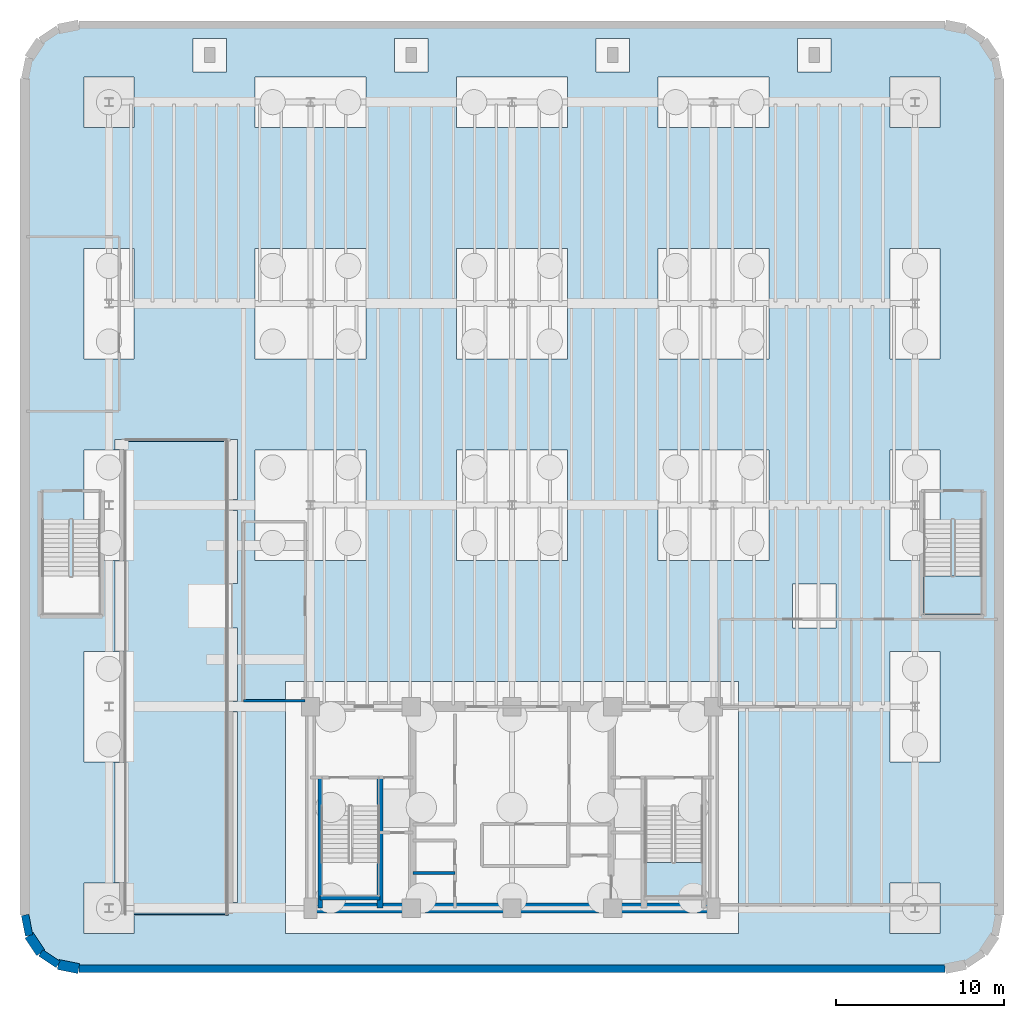
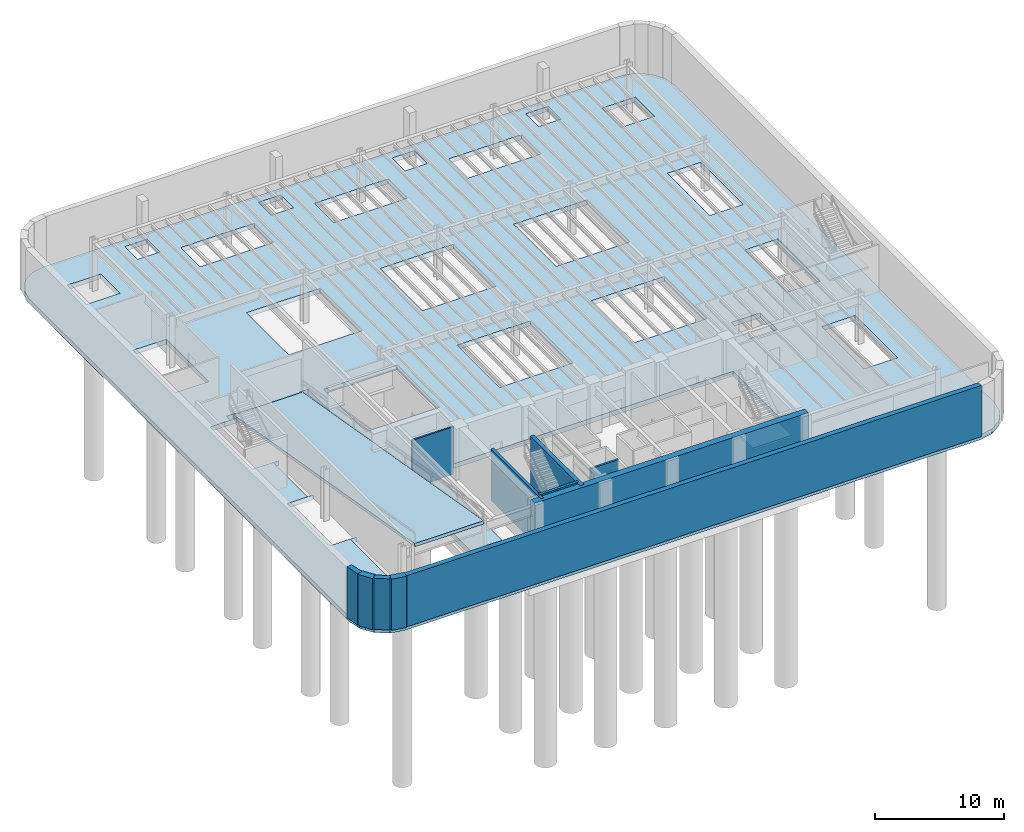
# One storey, part 3 of 9: 11 walls, 4 slabs, 2 elements without a shape of their own.
"""IFC4 building model written with IfcOpenShell, lengths in metres."""

import ifcopenshell
import ifcopenshell.guid

model = None  # the IFC model being written
_history = None  # IfcOwnerHistory: only IFC2X3 demands one
_inside = {}  # id of a spatial element -> (the spatial element, [elements in it])
_under = {}  # id of a project, library or spatial element -> (it, [spatial elements below it])
_declared = {}  # id of a project -> (the project, [libraries it declares])
_typed = {}  # id of a type object -> (the type object, [elements of that type])
_made_of = {}  # id of a material, layer set ... -> (it, [elements and type objects made of it])


def new_model(schema):
    """Start an empty IFC model of exactly this schema.

    Asked for "IFC4X3", IfcOpenShell would pick the latest addendum, in which some entities
    have other attributes; the version numbers below select the first issue.
    IFC2X3 requires an IfcOwnerHistory on every rooted entity: one is made here for all.
    """
    global model, _history
    if schema == "IFC4X3":
        model = ifcopenshell.file(schema_version=(4, 3, 0, 0))
    else:
        model = ifcopenshell.file(schema=schema)
    _inside.clear()
    _under.clear()
    _declared.clear()
    _typed.clear()
    _made_of.clear()
    _history = None
    if model.schema == "IFC2X3":
        org = make("IfcOrganization", Name="unknown")
        user = make(
            "IfcPersonAndOrganization",
            ThePerson=make("IfcPerson", FamilyName="unknown"),
            TheOrganization=org,
        )
        app = make(
            "IfcApplication",
            ApplicationDeveloper=org,
            Version="unknown",
            ApplicationFullName="unknown",
            ApplicationIdentifier="unknown",
        )
        _history = make(
            "IfcOwnerHistory",
            OwningUser=user,
            OwningApplication=app,
            ChangeAction="ADDED",
            CreationDate=0,
        )
    return model


def make(cls, **values):
    """One entity of the class cls with the attributes given. An attribute that is None is left unset."""
    return model.create_entity(
        cls, **{name: value for name, value in values.items() if value is not None}
    )


def rooted(cls, **values):
    """An entity with a GlobalId (a new one), such as an element, a storey or a relation."""
    return make(cls, GlobalId=ifcopenshell.guid.new(), OwnerHistory=_history, **values)


def si_unit(unit_type, name, prefix=None):
    """IfcSIUnit, for example si_unit("LENGTHUNIT", "METRE", prefix="MILLI")."""
    return make("IfcSIUnit", UnitType=unit_type, Prefix=prefix, Name=name)


def assignment(units):
    """IfcUnitAssignment: the units of a project."""
    return None if units is None else make("IfcUnitAssignment", Units=units)


def point(xyz):
    """IfcCartesianPoint."""
    return None if xyz is None else make("IfcCartesianPoint", Coordinates=xyz)


def direction(xyz):
    """IfcDirection."""
    return None if xyz is None else make("IfcDirection", DirectionRatios=xyz)


def frame(location, z_axis=None, x_axis=None):
    """IfcAxis2Placement3D, a coordinate frame: its origin and axes. An axis left out is left unset."""
    return make(
        "IfcAxis2Placement3D",
        Location=point(location),
        Axis=direction(z_axis),
        RefDirection=direction(x_axis),
    )


def frame_2d(location, x_axis=None):
    """IfcAxis2Placement2D, a coordinate frame in the plane: its origin and x axis."""
    return make(
        "IfcAxis2Placement2D", Location=point(location), RefDirection=direction(x_axis)
    )


def origin():
    """The frame at (0, 0, 0) with its axes left unset."""
    return frame((0.0, 0.0, 0.0))


def place(relative_to, where):
    """IfcLocalPlacement: puts the frame where relative to a parent placement (None: the world)."""
    return make(
        "IfcLocalPlacement", PlacementRelTo=relative_to, RelativePlacement=where
    )


def context(
    kind, dimensions, precision=None, world=None, true_north=None, identifier=None
):
    """IfcGeometricRepresentationContext, for example the 3D "Model" context."""
    return make(
        "IfcGeometricRepresentationContext",
        ContextIdentifier=identifier,
        ContextType=kind,
        CoordinateSpaceDimension=dimensions,
        Precision=precision,
        WorldCoordinateSystem=world,
        TrueNorth=true_north,
    )


def subcontext(parent, identifier, kind, view, scale=None):
    """IfcGeometricRepresentationSubContext, for example "Body" below "Model"."""
    return make(
        "IfcGeometricRepresentationSubContext",
        ContextIdentifier=identifier,
        ContextType=kind,
        ParentContext=parent,
        TargetScale=scale,
        TargetView=view,
    )


def project(units=None, contexts=None):
    """IfcProject with its units and contexts."""
    return rooted(
        "IfcProject",
        Name="project",
        RepresentationContexts=contexts,
        UnitsInContext=assignment(units),
    )


def spatial(cls, under=None, at=None, **own):
    """A site, building, storey or space (cls), placed at a placement, below another one or the project."""
    s = rooted(cls, ObjectPlacement=at, **own)
    if under is not None:
        _under.setdefault(under.id(), (under, []))[1].append(s)
    return s


def polyline(points):
    """IfcPolyline through the points."""
    return make("IfcPolyline", Points=[point(p) for p in points])


def profile(cls, at=None, kind="AREA", **sizes):
    """A parametric profile (cls). Its sizes go by their IFC names, for example OverallWidth=200.0."""
    return make(cls, ProfileType=kind, Position=at, **sizes)


def rectangle(**sizes):
    """IfcRectangleProfileDef."""
    return profile("IfcRectangleProfileDef", **sizes)


def outline(outer, holes=None, kind="AREA"):
    """IfcArbitraryClosedProfileDef: a profile drawn as a closed curve; with holes, ...WithVoids."""
    if holes is None:
        return make("IfcArbitraryClosedProfileDef", ProfileType=kind, OuterCurve=outer)
    return make(
        "IfcArbitraryProfileDefWithVoids",
        ProfileType=kind,
        OuterCurve=outer,
        InnerCurves=holes,
    )


def extrude(swept, where, along, depth):
    """IfcExtrudedAreaSolid: the profile swept, set in the frame where, extruded along a direction by depth."""
    return make(
        "IfcExtrudedAreaSolid",
        SweptArea=swept,
        Position=where,
        ExtrudedDirection=direction(along),
        Depth=depth,
    )


def shape(context_of_items, identifier, shape_type, items):
    """IfcShapeRepresentation: the items that make up one representation, for example the "Body"."""
    return make(
        "IfcShapeRepresentation",
        ContextOfItems=context_of_items,
        RepresentationIdentifier=identifier,
        RepresentationType=shape_type,
        Items=items,
    )


def material(Name=None, Category=None):
    """IfcMaterial."""
    return make("IfcMaterial", Name=Name, Category=Category)


def layer(
    of_material, thickness, ventilated=None, Name=None, Category=None, Priority=None
):
    """IfcMaterialLayer: one layer of a wall or slab, of a material (None: an air gap)."""
    return make(
        "IfcMaterialLayer",
        Material=of_material,
        LayerThickness=thickness,
        IsVentilated=ventilated,
        Name=Name,
        Category=Category,
        Priority=Priority,
    )


def layer_set(layers, Name=None):
    """IfcMaterialLayerSet."""
    return make("IfcMaterialLayerSet", MaterialLayers=layers, LayerSetName=Name)


def made_of(thing, what):
    """Note that an element or type object is made of a material, layer set ...; save() writes the relation."""
    if what is not None:
        _made_of.setdefault(what.id(), (what, []))[1].append(thing)
    return thing


def type_object(cls, material=None, **own):
    """A type object (cls), such as IfcWallType, which elements share."""
    return made_of(rooted(cls, **own), material)


def element(
    cls,
    number,
    at=None,
    inside=None,
    cuts=None,
    type_object=None,
    material=None,
    context=None,
    identifier="Body",
    shape_type=None,
    held_by="IfcProductDefinitionShape",
    body=None,
    shapes=None,
    **own,
):
    """One element of the class cls, such as IfcWall. Its Tag is "e" and its number.

    at: its placement. inside: the storey or other place that contains it. cuts: it is an
    opening in that element (IfcRelVoidsElement). A single representation is given by context,
    identifier, shape_type and body (its items); several are given by shapes. held_by: the class
    of the entity that holds the representations. save() writes the other relations.
    """
    e = rooted(cls, Tag="e%d" % number, ObjectPlacement=at, **own)
    if body is not None:
        shapes = [shape(context, identifier, shape_type, body)]
    if shapes is not None:
        e.Representation = make(held_by, Representations=shapes)
    if inside is not None:
        _inside.setdefault(inside.id(), (inside, []))[1].append(e)
    if cuts is not None:
        rooted(
            "IfcRelVoidsElement", RelatingBuildingElement=cuts, RelatedOpeningElement=e
        )
    if type_object is not None:
        _typed.setdefault(type_object.id(), (type_object, []))[1].append(e)
    return made_of(e, material)


def aggregate(whole, parts):
    """IfcRelAggregates: a whole, such as a stair, and the parts it consists of."""
    return rooted("IfcRelAggregates", RelatingObject=whole, RelatedObjects=parts)


def save(model, path):
    """Write the relations noted so far, then the file.

    IfcRelAggregates (storeys below a building ...), IfcRelContainedInSpatialStructure (elements
    in a storey), IfcRelDefinesByType, IfcRelAssociatesMaterial and IfcRelDeclares: one each for
    every whole, place, type object, material and project.
    """
    for whole, parts in _under.values():
        aggregate(whole, parts)
    for where, things in _inside.values():
        rooted(
            "IfcRelContainedInSpatialStructure",
            RelatedElements=things,
            RelatingStructure=where,
        )
    for kind, things in _typed.values():
        rooted("IfcRelDefinesByType", RelatedObjects=things, RelatingType=kind)
    for what, things in _made_of.values():
        rooted("IfcRelAssociatesMaterial", RelatedObjects=things, RelatingMaterial=what)
    for by, libraries in _declared.values():
        rooted("IfcRelDeclares", RelatingContext=by, RelatedDefinitions=libraries)
    model.write(path)


model = new_model("IFC4")

# Units and contexts
model_context = context("Model", 3, precision=1e-05, world=origin(), true_north=direction((0.0, 1.0)))
body_context = subcontext(model_context, "Body", "Model", "MODEL_VIEW")
ifc_project = project(units=[si_unit("LENGTHUNIT", "METRE"), si_unit("AREAUNIT", "SQUARE_METRE"), si_unit("VOLUMEUNIT", "CUBIC_METRE"), si_unit("PLANEANGLEUNIT", "RADIAN"), si_unit("MASSUNIT", "GRAM", prefix="KILO")], contexts=[model_context])

# Site, building, storey
site_placement = place(None, origin())
site = spatial("IfcSite", under=ifc_project, at=site_placement, CompositionType="ELEMENT")
building_placement = place(site_placement, origin())
building = spatial("IfcBuilding", under=site, at=building_placement, Name="Brelvock Crest Care Tower", CompositionType="ELEMENT")
storey_placement = place(building_placement, frame((0.0, 0.0, -4.860107421875)))
storey = spatial("IfcBuildingStorey", under=building, at=storey_placement, Name="B1", CompositionType="ELEMENT", Elevation=-4.860107421875)

# Slabs
ifc_material_1 = material(Name="Concrete N40 (40 MPa)", Category="concrete")
ifc_layer_1 = layer(ifc_material_1, 0.449951171875, Name="SLB-BS1")
ifc_layer_set_1 = layer_set([ifc_layer_1], Name="Concrete N40 (40 MPa)")
slab_type_1 = type_object("IfcSlabType", Name="SLB-BS1", PredefinedType="BASESLAB", material=ifc_layer_set_1)
slab_1_placement = place(storey_placement, frame((0.0, 0.0, -0.449951171875)))
element("IfcSlab", 1, at=slab_1_placement, inside=storey, type_object=slab_type_1, Name="B1 Basement Base Slab 1", PredefinedType="BASESLAB", context=body_context, shape_type="SweptSolid", body=[
    extrude(outline(polyline([(10.199951171875, 2.39990234375), (61.800048828125, 2.39990234375), (63.024658203125, 2.6435546875), (64.062744140625, 3.33740234375), (64.75634765625, 4.37548828125), (65.0, 5.60009765625), (65.0, 55.39990234375), (64.75634765625, 56.62451171875), (64.062744140625, 57.66259765625), (63.024658203125, 58.3564453125), (61.800048828125, 58.60009765625), (10.199951171875, 58.60009765625), (8.975341796875, 58.3564453125), (7.937255859375, 57.66259765625), (7.24365234375, 56.62451171875), (7.0, 55.39990234375), (7.0, 5.60009765625), (7.24365234375, 4.37548828125), (7.937255859375, 3.33740234375), (8.975341796875, 2.6435546875), (10.199951171875, 2.39990234375)]), holes=[polyline([(19.1201171875, 6.324951171875), (19.64990234375, 6.324951171875), (19.64990234375, 17.675048828125), (19.1201171875, 17.675048828125), (19.1201171875, 18.324951171875), (19.64990234375, 18.324951171875), (19.64990234375, 22.675048828125), (19.1201171875, 22.675048828125), (19.1201171875, 22.699951171875), (19.300048828125, 22.699951171875), (19.300048828125, 25.300048828125), (19.1201171875, 25.300048828125), (19.1201171875, 25.324951171875), (19.64990234375, 25.324951171875), (19.64990234375, 29.675048828125), (19.1201171875, 29.675048828125), (19.1201171875, 30.324951171875), (19.64990234375, 30.324951171875), (19.64990234375, 33.925048828125), (18.85009765625, 33.925048828125), (18.85009765625, 33.800048828125), (13.14990234375, 33.800048828125), (13.14990234375, 33.925048828125), (12.35009765625, 33.925048828125), (12.35009765625, 33.324951171875), (12.8798828125, 33.324951171875), (12.8798828125, 33.300048828125), (10.5, 33.300048828125), (10.5, 26.699951171875), (12.8798828125, 26.699951171875), (12.8798828125, 26.675048828125), (12.35009765625, 26.675048828125), (12.35009765625, 21.324951171875), (12.8798828125, 21.324951171875), (12.8798828125, 21.300048828125), (10.5, 21.300048828125), (10.5, 14.699951171875), (12.8798828125, 14.699951171875), (12.8798828125, 14.675048828125), (12.35009765625, 14.675048828125), (12.35009765625, 7.52490234375), (12.8798828125, 7.52490234375), (12.8798828125, 7.5), (10.5, 7.5), (10.5, 4.5), (13.5, 4.5), (13.5, 5.550048828125), (19.1201171875, 5.550048828125), (19.1201171875, 6.324951171875)]), polyline([(20.699951171875, 26.699951171875), (27.300048828125, 26.699951171875), (27.300048828125, 33.300048828125), (20.699951171875, 33.300048828125), (20.699951171875, 26.699951171875)]), polyline([(10.5, 38.699951171875), (13.5, 38.699951171875), (13.5, 45.300048828125), (10.5, 45.300048828125), (10.5, 38.699951171875)]), polyline([(20.699951171875, 38.699951171875), (27.300048828125, 38.699951171875), (27.300048828125, 45.300048828125), (20.699951171875, 45.300048828125), (20.699951171875, 38.699951171875)]), polyline([(20.699951171875, 52.5), (27.300048828125, 52.5), (27.300048828125, 55.5), (20.699951171875, 55.5), (20.699951171875, 52.5)]), polyline([(10.5, 52.5), (13.5, 52.5), (13.5, 55.5), (10.5, 55.5), (10.5, 52.5)]), polyline([(17.0, 55.800048828125), (19.0, 55.800048828125), (19.0, 57.800048828125), (17.0, 57.800048828125), (17.0, 55.800048828125)]), polyline([(58.5, 4.5), (61.5, 4.5), (61.5, 7.5), (58.5, 7.5), (58.5, 4.5)]), polyline([(22.5, 4.5), (49.5, 4.5), (49.5, 19.5), (22.5, 19.5), (22.5, 4.5)]), polyline([(58.5, 14.699951171875), (61.5, 14.699951171875), (61.5, 21.300048828125), (58.5, 21.300048828125), (58.5, 14.699951171875)]), polyline([(52.699951171875, 22.699951171875), (55.300048828125, 22.699951171875), (55.300048828125, 25.300048828125), (52.699951171875, 25.300048828125), (52.699951171875, 22.699951171875)]), polyline([(32.699951171875, 26.699951171875), (39.300048828125, 26.699951171875), (39.300048828125, 33.300048828125), (32.699951171875, 33.300048828125), (32.699951171875, 26.699951171875)]), polyline([(44.699951171875, 26.699951171875), (51.300048828125, 26.699951171875), (51.300048828125, 33.300048828125), (44.699951171875, 33.300048828125), (44.699951171875, 26.699951171875)]), polyline([(58.5, 26.699951171875), (61.5, 26.699951171875), (61.5, 33.300048828125), (58.5, 33.300048828125), (58.5, 26.699951171875)]), polyline([(32.699951171875, 38.699951171875), (39.300048828125, 38.699951171875), (39.300048828125, 45.300048828125), (32.699951171875, 45.300048828125), (32.699951171875, 38.699951171875)]), polyline([(44.699951171875, 38.699951171875), (51.300048828125, 38.699951171875), (51.300048828125, 45.300048828125), (44.699951171875, 45.300048828125), (44.699951171875, 38.699951171875)]), polyline([(58.5, 38.699951171875), (61.5, 38.699951171875), (61.5, 45.300048828125), (58.5, 45.300048828125), (58.5, 38.699951171875)]), polyline([(32.699951171875, 52.5), (39.300048828125, 52.5), (39.300048828125, 55.5), (32.699951171875, 55.5), (32.699951171875, 52.5)]), polyline([(44.699951171875, 52.5), (51.300048828125, 52.5), (51.300048828125, 55.5), (44.699951171875, 55.5), (44.699951171875, 52.5)]), polyline([(58.5, 52.5), (61.5, 52.5), (61.5, 55.5), (58.5, 55.5), (58.5, 52.5)]), polyline([(29.0, 55.800048828125), (31.0, 55.800048828125), (31.0, 57.800048828125), (29.0, 57.800048828125), (29.0, 55.800048828125)]), polyline([(41.0, 57.800048828125), (41.0, 55.800048828125), (43.0, 55.800048828125), (43.0, 57.800048828125), (41.0, 57.800048828125)]), polyline([(53.0, 57.800048828125), (53.0, 55.800048828125), (55.0, 55.800048828125), (55.0, 57.800048828125), (53.0, 57.800048828125)])]), origin(), (0.0, 0.0, 1.0), 0.449951171875),
])
ifc_layer_2 = layer(ifc_material_1, 0.280029296875, Name="SLB-RMP1")
ifc_layer_set_2 = layer_set([ifc_layer_2], Name="Concrete N40 (40 MPa)")
slab_type_2 = type_object("IfcSlabType", Name="SLB-RMP1", PredefinedType="FLOOR", material=ifc_layer_set_2)
slab_2_placement = place(storey_placement, frame((12.89990234375, 33.800048828125, 0.0), z_axis=(0.0, 0.170073707921, 0.985431344069), x_axis=(1.0, 0.0, 0.0)))
element("IfcSlab", 2, at=slab_2_placement, inside=storey, type_object=slab_type_2, Name="B1 to L00 Two-Way Vehicle Ramp Structural Slab R1", PredefinedType="FLOOR", context=body_context, shape_type="SweptSolid", body=[
    extrude(outline(polyline([(0.0, 0.0), (6.2001953125, 0.0), (6.2001953125, -28.57647711276844), (0.0, -28.57647711276844), (0.0, 0.0)])), origin(), (0.0, 0.0, -1.0), 0.280029296875),
])

# Stair, slab
stair_type_1 = type_object("IfcStairType", Name="ST-CORE1", PredefinedType="HALF_TURN_STAIR", material=ifc_material_1)
stair_1_placement = place(storey_placement, origin())
stair_1 = element("IfcStair", 3, at=stair_1_placement, inside=storey, type_object=stair_type_1, Name="B1 Fire-Isolated Core Stair ST-2", PredefinedType="HALF_TURN_STAIR")
ifc_layer_3 = layer(ifc_material_1, 0.199951171875, Name="STL-1")
ifc_layer_set_3 = layer_set([ifc_layer_3], Name="Concrete N40 (40 MPa)")
slab_type_3 = type_object("IfcSlabType", Name="STL-1", PredefinedType="LANDING", material=ifc_layer_set_3)
slab_3_placement = place(storey_placement, frame((0.0, 0.0, 2.230224609375)))
slab_3 = element("IfcSlab", 4, at=slab_3_placement, type_object=slab_type_3, Name="ST-2 landing 1", PredefinedType="LANDING", context=body_context, shape_type="SweptSolid", body=[
    extrude(outline(polyline([(43.889892578125, 8.719970703125), (43.889892578125, 6.699951171875), (47.3701171875, 6.699951171875), (47.3701171875, 8.719970703125), (43.889892578125, 8.719970703125)])), origin(), (0.0, 0.0, 1.0), 0.199951171875),
])
aggregate(stair_1, [slab_3])

stair_type_2 = type_object("IfcStairType", Name="ST-POD1", PredefinedType="HALF_TURN_STAIR", material=ifc_material_1)
stair_2_placement = place(storey_placement, origin())
stair_2 = element("IfcStair", 5, at=stair_2_placement, inside=storey, type_object=stair_type_2, Name="B1 Podium East Fire Stair ST-4", PredefinedType="HALF_TURN_STAIR")
slab_4_placement = place(storey_placement, frame((0.0, 0.0, 2.230224609375)))
slab_4 = element("IfcSlab", 6, at=slab_4_placement, type_object=slab_type_3, Name="ST-4 landing 1", PredefinedType="LANDING", context=body_context, shape_type="SweptSolid", body=[
    extrude(outline(polyline([(60.510009765625, 25.7900390625), (60.510009765625, 23.5), (63.989990234375, 23.5), (63.989990234375, 25.7900390625), (60.510009765625, 25.7900390625)])), origin(), (0.0, 0.0, 1.0), 0.199951171875),
])
aggregate(stair_2, [slab_4])

# Walls
ifc_material_2 = material(Name="Concrete S80 (80 MPa)", Category="concrete")
ifc_layer_4 = layer(ifc_material_2, 0.60009765625, Name="WL-CS1")
ifc_layer_set_4 = layer_set([ifc_layer_4], Name="Concrete S80 (80 MPa)")
wall_type_1 = type_object("IfcWallType", Name="WL-CS1", PredefinedType="SHEAR", material=ifc_layer_set_4)
wall_1_placement = place(storey_placement, frame((48.300048828125, 6.0, 0.0), z_axis=(0.0, 0.0, 1.0), x_axis=(-1.0, 0.0, 0.0)))
element("IfcWall", 7, at=wall_1_placement, inside=storey, type_object=wall_type_1, Name="B1 Core South Shear Wall", PredefinedType="SHEAR", context=body_context, shape_type="SweptSolid", body=[
    extrude(rectangle(XDim=24.60009765625, YDim=0.60009765625, at=frame_2d((12.300048828125, 0.0))), origin(), (0.0, 0.0, 1.0), 4.860107421875),
])
ifc_layer_5 = layer(ifc_material_2, 0.35009765625, Name="WL-CS5")
ifc_layer_set_5 = layer_set([ifc_layer_5], Name="Concrete S80 (80 MPa)")
wall_type_2 = type_object("IfcWallType", Name="WL-CS5", PredefinedType="SHEAR", material=ifc_layer_set_5)
wall_2_placement = place(storey_placement, frame((28.14990234375, 6.0, 0.0), z_axis=(0.0, 0.0, 1.0), x_axis=(0.0, 1.0, 0.0)))
element("IfcWall", 8, at=wall_2_placement, inside=storey, type_object=wall_type_2, Name="B1 Core Stair ST-1 East Shear Wall", PredefinedType="SHEAR", context=body_context, shape_type="SweptSolid", body=[
    extrude(rectangle(XDim=7.780029296875, YDim=0.35009765625, at=frame_2d((3.89013671875, 0.0))), origin(), (0.0, 0.0, 1.0), 4.860107421875),
])
ifc_layer_6 = layer(ifc_material_2, 0.25, Name="WL-CS6")
ifc_layer_set_6 = layer_set([ifc_layer_6], Name="Concrete S80 (80 MPa)")
wall_type_3 = type_object("IfcWallType", Name="WL-CS6", PredefinedType="SHEAR", material=ifc_layer_set_6)
wall_3_placement = place(storey_placement, frame((24.580078125, 6.0, 0.0), z_axis=(0.0, 0.0, 1.0), x_axis=(0.0, 1.0, 0.0)))
element("IfcWall", 9, at=wall_3_placement, inside=storey, type_object=wall_type_3, Name="B1 Core Stair ST-1 West Shear Wall", PredefinedType="SHEAR", context=body_context, shape_type="SweptSolid", body=[
    extrude(rectangle(XDim=7.780029296875, YDim=0.25, at=frame_2d((3.89013671875, 0.0))), origin(), (0.0, 0.0, 1.0), 4.860107421875),
])
wall_4_placement = place(storey_placement, frame((24.580078125, 6.6201171875, 0.0), z_axis=(0.0, 0.0, 1.0), x_axis=(1.0, 0.0, 0.0)))
element("IfcWall", 10, at=wall_4_placement, inside=storey, type_object=wall_type_3, Name="B1 Core Stair ST-1 South Shear Wall", PredefinedType="SHEAR", context=body_context, shape_type="SweptSolid", body=[
    extrude(rectangle(XDim=3.56982421875, YDim=0.25, at=frame_2d((1.784912109375, 0.0))), origin(), (0.0, 0.0, 1.0), 4.860107421875),
])
ifc_material_3 = material(Name="Masonry Blockwork Acoustic Partition", Category="masonry")
ifc_layer_7 = layer(ifc_material_3, 0.14990234375, Name="WL-INT1")
ifc_layer_set_7 = layer_set([ifc_layer_7], Name="Masonry Blockwork Acoustic Partition")
wall_type_4 = type_object("IfcWallType", Name="WL-INT1", PredefinedType="PARTITIONING", material=ifc_layer_set_7)
wall_5_placement = place(storey_placement, frame((20.0, 18.35009765625, 0.0), z_axis=(0.0, 0.0, 1.0), x_axis=(1.0, 0.0, 0.0)))
element("IfcWall", 11, at=wall_5_placement, inside=storey, type_object=wall_type_4, Name="B1 Interior Wall WL-BX-B1-B1-CYC-S", PredefinedType="PARTITIONING", context=body_context, shape_type="SweptSolid", body=[
    extrude(rectangle(XDim=3.679931640625, YDim=0.14990234375, at=frame_2d((1.83984375, 0.0))), origin(), (0.0, 0.0, 1.0), 4.510009765625),
])
ifc_material_4 = material(Name="Concrete N50 (50 MPa)", Category="concrete")
ifc_layer_8 = layer(ifc_material_4, 0.60009765625, Name="WL-RT1")
ifc_layer_set_8 = layer_set([ifc_layer_8], Name="Concrete N50 (50 MPa)")
wall_type_5 = type_object("IfcWallType", Name="WL-RT1", PredefinedType="USERDEFINED", material=ifc_layer_set_8)
for number, where, z_axis, x_axis, name in (
    (12, (10.199951171875, 2.39990234375, 0.0), (0.0, 0.0, 1.0), (-0.980775717779, 0.195138390419, 0.0), "B1 Basement Retaining Wall 00"),
    (13, (7.937255859375, 3.33740234375, 0.0), (0.0, 0.0, 1.0), (-0.555557312883, 0.831478245117, 0.0), "B1 Basement Retaining Wall 02"),
):
    element("IfcWall", number, at=place(storey_placement, frame(where, z_axis=z_axis, x_axis=x_axis)), inside=storey, type_object=wall_type_5, Name=name, ObjectType="RETAININGWALL", PredefinedType="USERDEFINED", context=body_context, shape_type="SweptSolid", body=[
        extrude(rectangle(XDim=1.24853515625, YDim=0.60009765625, at=frame_2d((0.624267578125, 0.0))), origin(), (0.0, 0.0, 1.0), 4.860107421875),
    ])
ifc_layer_9 = layer(ifc_material_4, 0.449951171875, Name="WL-RT2")
ifc_layer_set_9 = layer_set([ifc_layer_9], Name="Concrete N50 (50 MPa)")
wall_type_6 = type_object("IfcWallType", Name="WL-RT2", PredefinedType="USERDEFINED", material=ifc_layer_set_9)
for number, where, z_axis, x_axis, name in (
    (14, (8.975341796875, 2.6435546875, 0.0), (0.0, 0.0, 1.0), (-0.831387912822, 0.555692485475, 0.0), "B1 Basement Retaining Wall 01"),
    (15, (7.24365234375, 4.37548828125, 0.0), (0.0, 0.0, 1.0), (-0.195138390419, 0.980775717779, 0.0), "B1 Basement Retaining Wall 03"),
):
    element("IfcWall", number, at=place(storey_placement, frame(where, z_axis=z_axis, x_axis=x_axis)), inside=storey, type_object=wall_type_6, Name=name, ObjectType="RETAININGWALL", PredefinedType="USERDEFINED", context=body_context, shape_type="SweptSolid", body=[
        extrude(rectangle(XDim=1.24853515625, YDim=0.449951171875, at=frame_2d((0.624267578125, 0.0))), origin(), (0.0, 0.0, 1.0), 4.860107421875),
    ])
wall_6_placement = place(storey_placement, frame((61.800048828125, 2.39990234375, 0.0), z_axis=(0.0, 0.0, 1.0), x_axis=(-1.0, 0.0, 0.0)))
element("IfcWall", 16, at=wall_6_placement, inside=storey, type_object=wall_type_6, Name="B1 Basement Retaining Wall 19", ObjectType="RETAININGWALL", PredefinedType="USERDEFINED", context=body_context, shape_type="SweptSolid", body=[
    extrude(rectangle(XDim=51.60009765625, YDim=0.449951171875, at=frame_2d((25.800048828125, 0.0))), origin(), (0.0, 0.0, 1.0), 4.860107421875),
])
ifc_layer_10 = layer(ifc_material_3, 0.179931640625, Name="WL-SHF1")
ifc_layer_set_10 = layer_set([ifc_layer_10], Name="Masonry Blockwork Acoustic Partition")
wall_type_7 = type_object("IfcWallType", Name="WL-SHF1", PredefinedType="PARTITIONING", material=ifc_layer_set_10)
wall_7_placement = place(storey_placement, frame((30.10009765625, 8.10009765625, 0.0), z_axis=(0.0, 0.0, 1.0), x_axis=(1.0, 0.0, 0.0)))
element("IfcWall", 17, at=wall_7_placement, inside=storey, type_object=wall_type_7, Name="B1 Interior Wall WL-CSBW-SP-B1", PredefinedType="PARTITIONING", context=body_context, shape_type="SweptSolid", body=[
    extrude(rectangle(XDim=2.5, YDim=0.179931640625, at=frame_2d((1.25, 0.0))), origin(), (0.0, 0.0, 1.0), 4.510009765625),
])

save(model, "model.ifc")
